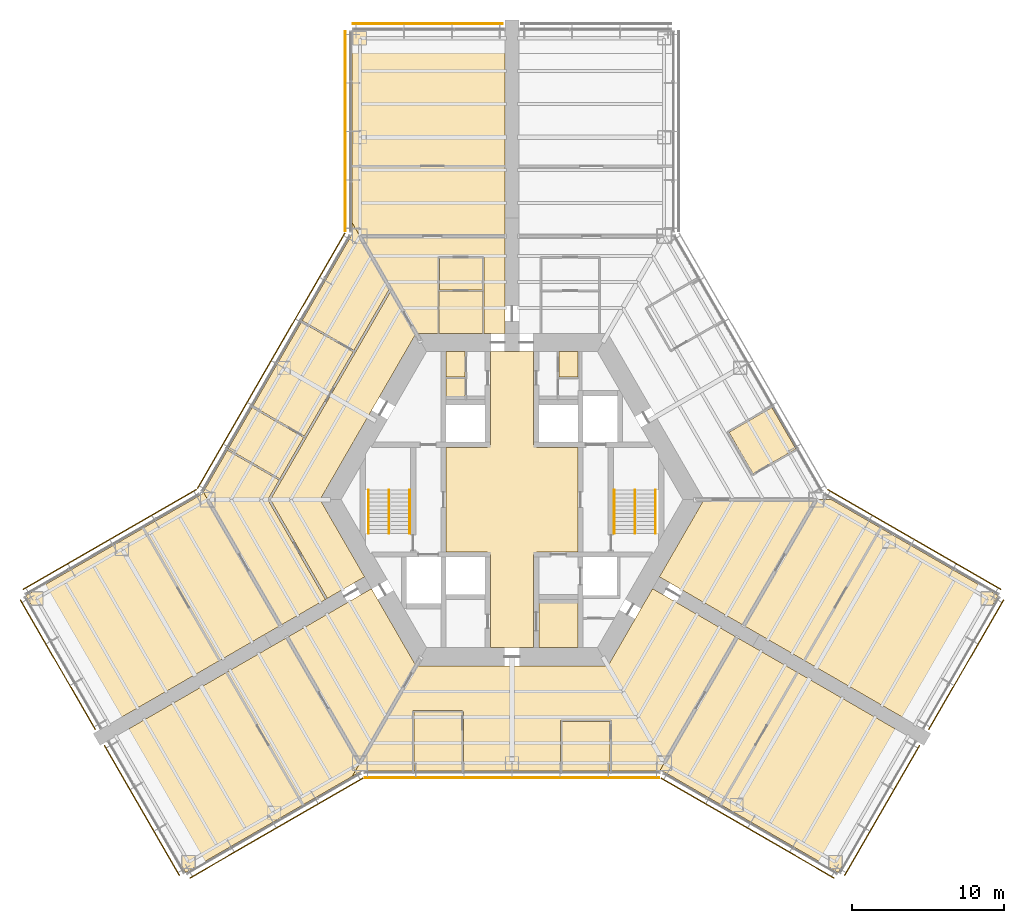
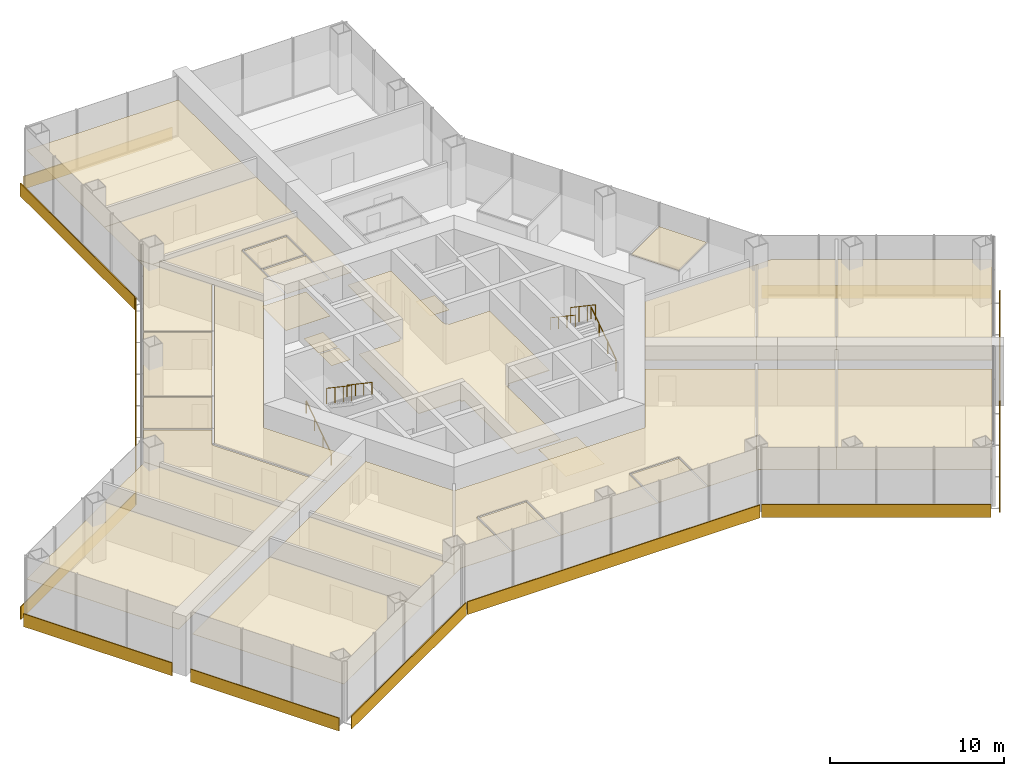
# One storey, part 16 of 17: 30 coverings, 12 shading devices, 6 railings.
"""IFC4 building model written with IfcOpenShell, lengths in metres."""

import ifcopenshell
import ifcopenshell.guid

model = None  # the IFC model being written
_history = None  # IfcOwnerHistory: only IFC2X3 demands one
_inside = {}  # id of a spatial element -> (the spatial element, [elements in it])
_under = {}  # id of a project, library or spatial element -> (it, [spatial elements below it])
_declared = {}  # id of a project -> (the project, [libraries it declares])
_typed = {}  # id of a type object -> (the type object, [elements of that type])
_made_of = {}  # id of a material, layer set ... -> (it, [elements and type objects made of it])


def new_model(schema):
    """Start an empty IFC model of exactly this schema.

    Asked for "IFC4X3", IfcOpenShell would pick the latest addendum, in which some entities
    have other attributes; the version numbers below select the first issue.
    IFC2X3 requires an IfcOwnerHistory on every rooted entity: one is made here for all.
    """
    global model, _history
    if schema == "IFC4X3":
        model = ifcopenshell.file(schema_version=(4, 3, 0, 0))
    else:
        model = ifcopenshell.file(schema=schema)
    _inside.clear()
    _under.clear()
    _declared.clear()
    _typed.clear()
    _made_of.clear()
    _history = None
    if model.schema == "IFC2X3":
        org = make("IfcOrganization", Name="unknown")
        user = make(
            "IfcPersonAndOrganization",
            ThePerson=make("IfcPerson", FamilyName="unknown"),
            TheOrganization=org,
        )
        app = make(
            "IfcApplication",
            ApplicationDeveloper=org,
            Version="unknown",
            ApplicationFullName="unknown",
            ApplicationIdentifier="unknown",
        )
        _history = make(
            "IfcOwnerHistory",
            OwningUser=user,
            OwningApplication=app,
            ChangeAction="ADDED",
            CreationDate=0,
        )
    return model


def make(cls, **values):
    """One entity of the class cls with the attributes given. An attribute that is None is left unset."""
    return model.create_entity(
        cls, **{name: value for name, value in values.items() if value is not None}
    )


def rooted(cls, **values):
    """An entity with a GlobalId (a new one), such as an element, a storey or a relation."""
    return make(cls, GlobalId=ifcopenshell.guid.new(), OwnerHistory=_history, **values)


def si_unit(unit_type, name, prefix=None):
    """IfcSIUnit, for example si_unit("LENGTHUNIT", "METRE", prefix="MILLI")."""
    return make("IfcSIUnit", UnitType=unit_type, Prefix=prefix, Name=name)


def assignment(units):
    """IfcUnitAssignment: the units of a project."""
    return None if units is None else make("IfcUnitAssignment", Units=units)


def point(xyz):
    """IfcCartesianPoint."""
    return None if xyz is None else make("IfcCartesianPoint", Coordinates=xyz)


def direction(xyz):
    """IfcDirection."""
    return None if xyz is None else make("IfcDirection", DirectionRatios=xyz)


def frame(location, z_axis=None, x_axis=None):
    """IfcAxis2Placement3D, a coordinate frame: its origin and axes. An axis left out is left unset."""
    return make(
        "IfcAxis2Placement3D",
        Location=point(location),
        Axis=direction(z_axis),
        RefDirection=direction(x_axis),
    )


def frame_2d(location, x_axis=None):
    """IfcAxis2Placement2D, a coordinate frame in the plane: its origin and x axis."""
    return make(
        "IfcAxis2Placement2D", Location=point(location), RefDirection=direction(x_axis)
    )


def origin():
    """The frame at (0, 0, 0) with its axes left unset."""
    return frame((0.0, 0.0, 0.0))


def origin_2d():
    """The frame at (0, 0) in the plane with its x axis left unset."""
    return frame_2d((0.0, 0.0))


def place(relative_to, where):
    """IfcLocalPlacement: puts the frame where relative to a parent placement (None: the world)."""
    return make(
        "IfcLocalPlacement", PlacementRelTo=relative_to, RelativePlacement=where
    )


def context(
    kind, dimensions, precision=None, world=None, true_north=None, identifier=None
):
    """IfcGeometricRepresentationContext, for example the 3D "Model" context."""
    return make(
        "IfcGeometricRepresentationContext",
        ContextIdentifier=identifier,
        ContextType=kind,
        CoordinateSpaceDimension=dimensions,
        Precision=precision,
        WorldCoordinateSystem=world,
        TrueNorth=true_north,
    )


def subcontext(parent, identifier, kind, view, scale=None):
    """IfcGeometricRepresentationSubContext, for example "Body" below "Model"."""
    return make(
        "IfcGeometricRepresentationSubContext",
        ContextIdentifier=identifier,
        ContextType=kind,
        ParentContext=parent,
        TargetScale=scale,
        TargetView=view,
    )


def project(units=None, contexts=None):
    """IfcProject with its units and contexts."""
    return rooted(
        "IfcProject",
        Name="project",
        RepresentationContexts=contexts,
        UnitsInContext=assignment(units),
    )


def spatial(cls, under=None, at=None, **own):
    """A site, building, storey or space (cls), placed at a placement, below another one or the project."""
    s = rooted(cls, ObjectPlacement=at, **own)
    if under is not None:
        _under.setdefault(under.id(), (under, []))[1].append(s)
    return s


def polyline(points):
    """IfcPolyline through the points."""
    return make("IfcPolyline", Points=[point(p) for p in points])


def profile(cls, at=None, kind="AREA", **sizes):
    """A parametric profile (cls). Its sizes go by their IFC names, for example OverallWidth=200.0."""
    return make(cls, ProfileType=kind, Position=at, **sizes)


def rectangle(**sizes):
    """IfcRectangleProfileDef."""
    return profile("IfcRectangleProfileDef", **sizes)


def circle(**sizes):
    """IfcCircleProfileDef."""
    return profile("IfcCircleProfileDef", **sizes)


def outline(outer, holes=None, kind="AREA"):
    """IfcArbitraryClosedProfileDef: a profile drawn as a closed curve; with holes, ...WithVoids."""
    if holes is None:
        return make("IfcArbitraryClosedProfileDef", ProfileType=kind, OuterCurve=outer)
    return make(
        "IfcArbitraryProfileDefWithVoids",
        ProfileType=kind,
        OuterCurve=outer,
        InnerCurves=holes,
    )


def extrude(swept, where, along, depth):
    """IfcExtrudedAreaSolid: the profile swept, set in the frame where, extruded along a direction by depth."""
    return make(
        "IfcExtrudedAreaSolid",
        SweptArea=swept,
        Position=where,
        ExtrudedDirection=direction(along),
        Depth=depth,
    )


def shape(context_of_items, identifier, shape_type, items):
    """IfcShapeRepresentation: the items that make up one representation, for example the "Body"."""
    return make(
        "IfcShapeRepresentation",
        ContextOfItems=context_of_items,
        RepresentationIdentifier=identifier,
        RepresentationType=shape_type,
        Items=items,
    )


def material(Name=None, Category=None):
    """IfcMaterial."""
    return make("IfcMaterial", Name=Name, Category=Category)


def layer(
    of_material, thickness, ventilated=None, Name=None, Category=None, Priority=None
):
    """IfcMaterialLayer: one layer of a wall or slab, of a material (None: an air gap)."""
    return make(
        "IfcMaterialLayer",
        Material=of_material,
        LayerThickness=thickness,
        IsVentilated=ventilated,
        Name=Name,
        Category=Category,
        Priority=Priority,
    )


def layer_set(layers, Name=None):
    """IfcMaterialLayerSet."""
    return make("IfcMaterialLayerSet", MaterialLayers=layers, LayerSetName=Name)


def made_of(thing, what):
    """Note that an element or type object is made of a material, layer set ...; save() writes the relation."""
    if what is not None:
        _made_of.setdefault(what.id(), (what, []))[1].append(thing)
    return thing


def type_object(cls, material=None, **own):
    """A type object (cls), such as IfcWallType, which elements share."""
    return made_of(rooted(cls, **own), material)


def element(
    cls,
    number,
    at=None,
    inside=None,
    cuts=None,
    type_object=None,
    material=None,
    context=None,
    identifier="Body",
    shape_type=None,
    held_by="IfcProductDefinitionShape",
    body=None,
    shapes=None,
    **own,
):
    """One element of the class cls, such as IfcWall. Its Tag is "e" and its number.

    at: its placement. inside: the storey or other place that contains it. cuts: it is an
    opening in that element (IfcRelVoidsElement). A single representation is given by context,
    identifier, shape_type and body (its items); several are given by shapes. held_by: the class
    of the entity that holds the representations. save() writes the other relations.
    """
    e = rooted(cls, Tag="e%d" % number, ObjectPlacement=at, **own)
    if body is not None:
        shapes = [shape(context, identifier, shape_type, body)]
    if shapes is not None:
        e.Representation = make(held_by, Representations=shapes)
    if inside is not None:
        _inside.setdefault(inside.id(), (inside, []))[1].append(e)
    if cuts is not None:
        rooted(
            "IfcRelVoidsElement", RelatingBuildingElement=cuts, RelatedOpeningElement=e
        )
    if type_object is not None:
        _typed.setdefault(type_object.id(), (type_object, []))[1].append(e)
    return made_of(e, material)


def aggregate(whole, parts):
    """IfcRelAggregates: a whole, such as a stair, and the parts it consists of."""
    return rooted("IfcRelAggregates", RelatingObject=whole, RelatedObjects=parts)


def save(model, path):
    """Write the relations noted so far, then the file.

    IfcRelAggregates (storeys below a building ...), IfcRelContainedInSpatialStructure (elements
    in a storey), IfcRelDefinesByType, IfcRelAssociatesMaterial and IfcRelDeclares: one each for
    every whole, place, type object, material and project.
    """
    for whole, parts in _under.values():
        aggregate(whole, parts)
    for where, things in _inside.values():
        rooted(
            "IfcRelContainedInSpatialStructure",
            RelatedElements=things,
            RelatingStructure=where,
        )
    for kind, things in _typed.values():
        rooted("IfcRelDefinesByType", RelatedObjects=things, RelatingType=kind)
    for what, things in _made_of.values():
        rooted("IfcRelAssociatesMaterial", RelatedObjects=things, RelatingMaterial=what)
    for by, libraries in _declared.values():
        rooted("IfcRelDeclares", RelatingContext=by, RelatedDefinitions=libraries)
    model.write(path)


model = new_model("IFC4")

# Units and contexts
model_context = context("Model", 3, precision=1e-05, world=origin(), true_north=direction((0.0, 1.0)))
body_context = subcontext(model_context, "Body", "Model", "MODEL_VIEW")
ifc_project = project(units=[si_unit("LENGTHUNIT", "METRE"), si_unit("AREAUNIT", "SQUARE_METRE"), si_unit("VOLUMEUNIT", "CUBIC_METRE"), si_unit("PLANEANGLEUNIT", "RADIAN"), si_unit("MASSUNIT", "GRAM", prefix="KILO")], contexts=[model_context])

# Site, building, storey
site_placement = place(None, origin())
site = spatial("IfcSite", under=ifc_project, at=site_placement, CompositionType="ELEMENT")
building_placement = place(site_placement, origin())
building = spatial("IfcBuilding", under=site, at=building_placement, Name="Kasaneha Research Tower", CompositionType="ELEMENT")
storey_placement = place(building_placement, frame((0.0, 0.0, 47.800048828125)))
storey = spatial("IfcBuildingStorey", under=building, at=storey_placement, Name="L12", CompositionType="ELEMENT", Elevation=47.800048828125)

# Coverings
ifc_material_1 = material(Name="Washable coated ceiling board", Category="gypsum")
ifc_layer_1 = layer(ifc_material_1, 0.02490234375)
ifc_layer_set_1 = layer_set([ifc_layer_1], Name="Laboratory ceiling 25")
covering_type_1 = type_object("IfcCoveringType", Name="Laboratory ceiling 25", PredefinedType="CEILING", material=ifc_layer_set_1)
covering_1_placement = place(storey_placement, frame((0.0, 0.0, 2.550048828125)))
element("IfcCovering", 1, at=covering_1_placement, inside=storey, type_object=covering_type_1, Name="Ceiling L12-31", PredefinedType="CEILING", context=body_context, shape_type="SweptSolid", body=[
    extrude(outline(polyline([(18.679443359375, 3.287353515625), (18.662109375, 3.27734375), (18.63720703125, 3.320556640625), (15.83984375, 1.70556640625), (14.2666015625, 4.430419921875), (17.06396484375, 6.04541015625), (17.038818359375, 6.0888671875), (17.05615234375, 6.098876953125), (18.679443359375, 3.287353515625)])), origin(), (0.0, 0.0, 1.0), 0.02490234375),
])
covering_2_placement = place(storey_placement, frame((0.0, 0.0, 2.550048828125)))
element("IfcCovering", 2, at=covering_2_placement, inside=storey, type_object=covering_type_1, Name="Ceiling L12-35", PredefinedType="CEILING", context=body_context, shape_type="SweptSolid", body=[
    extrude(outline(polyline([(-4.778564453125, 10.925048828125), (-4.778564453125, 13.675048828125), (-1.949951171875, 13.675048828125), (-1.949951171875, 10.925048828125), (-4.778564453125, 10.925048828125)])), origin(), (0.0, 0.0, 1.0), 0.02490234375),
])
covering_3_placement = place(storey_placement, frame((0.0, 0.0, 2.550048828125)))
element("IfcCovering", 3, at=covering_3_placement, inside=storey, type_object=covering_type_1, Name="Ceiling L12-36", PredefinedType="CEILING", context=body_context, shape_type="SweptSolid", body=[
    extrude(outline(polyline([(-4.778564453125, 15.875), (-1.949951171875, 15.875), (-1.949951171875, 13.77490234375), (-4.778564453125, 13.77490234375), (-4.778564453125, 15.875)])), origin(), (0.0, 0.0, 1.0), 0.02490234375),
])
covering_4_placement = place(storey_placement, frame((0.0, 0.0, 2.550048828125)))
element("IfcCovering", 4, at=covering_4_placement, inside=storey, type_object=covering_type_1, Name="Ceiling L12-37", PredefinedType="CEILING", context=body_context, shape_type="SweptSolid", body=[
    extrude(outline(polyline([(-1.85009765625, 10.925048828125), (-1.85009765625, 15.925048828125), (-1.8994140625, 15.925048828125), (-1.8994140625, 15.925048828125), (-1.8994140625, 15.925048828125), (-1.8994140625, 15.925048828125), (-1.899658203125, 15.92529296875), (-1.899658203125, 15.92529296875), (-1.899658203125, 15.92529296875), (-1.899658203125, 15.92529296875), (-1.899658203125, 15.92529296875), (-1.899658203125, 15.92529296875), (-1.899658203125, 15.925537109375), (-1.899658203125, 15.925537109375), (-1.89990234375, 15.925537109375), (-1.89990234375, 15.925537109375), (-1.89990234375, 15.925537109375), (-1.89990234375, 15.925537109375), (-1.89990234375, 15.925537109375), (-1.89990234375, 15.97509765625), (-4.82861328125, 15.97509765625), (-4.82861328125, 15.925537109375), (-4.82861328125, 15.925537109375), (-4.82861328125, 15.925537109375), (-4.82861328125, 15.925537109375), (-4.828857421875, 15.925537109375), (-4.828857421875, 15.925537109375), (-4.828857421875, 15.925537109375), (-4.828857421875, 15.92529296875), (-4.828857421875, 15.92529296875), (-4.828857421875, 15.92529296875), (-4.8291015625, 15.92529296875), (-4.8291015625, 15.92529296875), (-4.8291015625, 15.92529296875), (-4.8291015625, 15.925048828125), (-4.8291015625, 15.925048828125), (-4.8291015625, 15.925048828125), (-4.8291015625, 15.925048828125), (-4.878662109375, 15.925048828125), (-4.878662109375, 10.925048828125), (-6.3076171875, 10.925048828125), (-7.9384765625, 13.75), (-7.928466796875, 13.767578125), (-7.958740234375, 13.784912109375), (-10.0, 17.320556640625), (-0.449951171875, 17.320556640625), (-0.449951171875, 12.72509765625), (-0.449951171875, 11.72509765625), (-0.449951171875, 10.925048828125), (-1.85009765625, 10.925048828125)])), origin(), (0.0, 0.0, 1.0), 0.02490234375),
])
covering_5_placement = place(storey_placement, frame((0.0, 0.0, 2.550048828125)))
element("IfcCovering", 5, at=covering_5_placement, inside=storey, type_object=covering_type_1, Name="Ceiling L12-38", PredefinedType="CEILING", context=body_context, shape_type="SweptSolid", body=[
    extrude(outline(polyline([(-10.5, 21.92041015625), (-0.449951171875, 21.92041015625), (-0.449951171875, 17.320556640625), (-10.0, 17.320556640625), (-10.5, 18.1865234375), (-10.5, 21.92041015625)])), origin(), (0.0, 0.0, 1.0), 0.02490234375),
])
covering_6_placement = place(storey_placement, frame((0.0, 0.0, 2.550048828125)))
element("IfcCovering", 6, at=covering_6_placement, inside=storey, type_object=covering_type_1, Name="Ceiling L12-39", PredefinedType="CEILING", context=body_context, shape_type="SweptSolid", body=[
    extrude(outline(polyline([(-0.449951171875, 30.820556640625), (-0.449951171875, 21.92041015625), (-10.5, 21.92041015625), (-10.5, 30.820556640625), (-0.449951171875, 30.820556640625)])), origin(), (0.0, 0.0, 1.0), 0.02490234375),
])
covering_7_placement = place(storey_placement, frame((0.0, 0.0, 2.550048828125)))
element("IfcCovering", 7, at=covering_7_placement, inside=storey, type_object=covering_type_1, Name="Ceiling L12-40", PredefinedType="CEILING", context=body_context, shape_type="SweptSolid", body=[
    extrude(outline(polyline([(-12.614990234375, 0.0), (-9.686279296875, -5.07275390625), (-12.19775390625, -6.522705078125), (-12.207763671875, -6.50537109375), (-12.142822265625, -6.468017578125), (-15.877197265625, 0.0), (-15.15673828125, 1.247802734375), (-15.15673828125, 1.247802734375), (-13.533203125, 4.059814453125), (-13.533203125, 4.059814453125), (-10.287109375, 9.68212890625), (-10.287109375, 9.68212890625), (-7.9384765625, 13.75), (-6.3076171875, 10.925048828125), (-12.614990234375, 0.0)])), origin(), (0.0, 0.0, 1.0), 0.02490234375),
])
covering_8_placement = place(storey_placement, frame((0.0, 0.0, 2.550048828125)))
element("IfcCovering", 8, at=covering_8_placement, inside=storey, type_object=covering_type_1, Name="Ceiling L12-41", PredefinedType="CEILING", context=body_context, shape_type="SweptSolid", body=[
    extrude(outline(polyline([(-10.499755859375, 18.18701171875), (-7.981689453125, 13.825439453125), (-7.993408203125, 13.804931640625), (-8.058349609375, 13.842529296875), (-10.387451171875, 9.80859375), (-13.767578125, 11.755126953125), (-13.79248046875, 11.711669921875), (-13.809814453125, 11.7216796875), (-10.50048828125, 17.45458984375), (-10.499755859375, 18.18701171875)])), origin(), (0.0, 0.0, 1.0), 0.02490234375),
])
covering_9_placement = place(storey_placement, frame((0.0, 0.0, 2.550048828125)))
element("IfcCovering", 9, at=covering_9_placement, inside=storey, type_object=covering_type_1, Name="Ceiling L12-42", PredefinedType="CEILING", context=body_context, shape_type="SweptSolid", body=[
    extrude(outline(polyline([(-17.038818359375, 6.0888671875), (-17.06396484375, 6.04541015625), (-13.688232421875, 4.091552734375), (-15.257080078125, 1.3740234375), (-18.63720703125, 3.320556640625), (-18.662109375, 3.27734375), (-18.679443359375, 3.287353515625), (-17.05615234375, 6.098876953125), (-17.038818359375, 6.0888671875)])), origin(), (0.0, 0.0, 1.0), 0.02490234375),
])
covering_10_placement = place(storey_placement, frame((0.0, 0.0, 2.550048828125)))
element("IfcCovering", 10, at=covering_10_placement, inside=storey, type_object=covering_type_1, Name="Ceiling L12-43", PredefinedType="CEILING", context=body_context, shape_type="SweptSolid", body=[
    extrude(outline(polyline([(-18.6796875, 3.286865234375), (-18.662353515625, 3.27685546875), (-18.68701171875, 3.23388671875), (-15.306884765625, 1.28759765625), (-16.028564453125, 0.03759765625), (-15.964111328125, 0.000244140625), (-15.964111328125, -0.000244140625), (-15.964111328125, -0.000244140625), (-16.028564453125, -0.03759765625), (-12.272705078125, -6.54296875), (-12.208251953125, -6.505859375), (-12.1982421875, -6.52294921875), (-15.22509765625, -8.2705078125), (-20.28857421875, 0.5), (-18.6796875, 3.286865234375)])), origin(), (0.0, 0.0, 1.0), 0.02490234375),
])
covering_11_placement = place(storey_placement, frame((0.0, 0.0, 2.550048828125)))
element("IfcCovering", 11, at=covering_11_placement, inside=storey, type_object=covering_type_1, Name="Ceiling L12-44", PredefinedType="CEILING", context=body_context, shape_type="SweptSolid", body=[
    extrude(outline(polyline([(-17.055908203125, 6.09912109375), (-13.81005859375, 11.72119140625), (-13.792724609375, 11.711181640625), (-13.8173828125, 11.66845703125), (-10.4375, 9.721923828125), (-13.63818359375, 4.177978515625), (-17.013916015625, 6.132080078125), (-17.03857421875, 6.089111328125), (-17.055908203125, 6.09912109375)])), origin(), (0.0, 0.0, 1.0), 0.02490234375),
])
covering_12_placement = place(storey_placement, frame((0.0, 0.0, 2.550048828125)))
element("IfcCovering", 12, at=covering_12_placement, inside=storey, type_object=covering_type_1, Name="Ceiling L12-45", PredefinedType="CEILING", context=body_context, shape_type="SweptSolid", body=[
    extrude(outline(polyline([(-24.233642578125, -1.866943359375), (-20.365966796875, 0.365966796875), (-20.28857421875, 0.5), (-15.22509765625, -8.2705078125), (-19.208740234375, -10.570556640625), (-24.233642578125, -1.866943359375)])), origin(), (0.0, 0.0, 1.0), 0.02490234375),
])
covering_13_placement = place(storey_placement, frame((0.0, 0.0, 2.550048828125)))
element("IfcCovering", 13, at=covering_13_placement, inside=storey, type_object=covering_type_1, Name="Ceiling L12-46", PredefinedType="CEILING", context=body_context, shape_type="SweptSolid", body=[
    extrude(outline(polyline([(-31.94140625, -6.31689453125), (-24.233642578125, -1.866943359375), (-19.208740234375, -10.570556640625), (-26.916259765625, -15.0205078125), (-31.94140625, -6.31689453125)])), origin(), (0.0, 0.0, 1.0), 0.02490234375),
])
covering_14_placement = place(storey_placement, frame((0.0, 0.0, 2.550048828125)))
element("IfcCovering", 14, at=covering_14_placement, inside=storey, type_object=covering_type_1, Name="Ceiling L12-47", PredefinedType="CEILING", context=body_context, shape_type="SweptSolid", body=[
    extrude(outline(polyline([(-9.236328125, -5.852294921875), (-6.3076171875, -10.925048828125), (-10.0, -17.320556640625), (-14.77490234375, -9.050048828125), (-9.92919921875, -6.252197265625), (-9.92919921875, -6.252197265625), (-9.236328125, -5.852294921875)])), origin(), (0.0, 0.0, 1.0), 0.02490234375),
])
covering_15_placement = place(storey_placement, frame((0.0, 0.0, 2.550048828125)))
element("IfcCovering", 15, at=covering_15_placement, inside=storey, type_object=covering_type_1, Name="Ceiling L12-48", PredefinedType="CEILING", context=body_context, shape_type="SweptSolid", body=[
    extrude(outline(polyline([(-21.44140625, -24.50341796875), (-26.46630859375, -15.800048828125), (-18.7587890625, -11.349853515625), (-13.733642578125, -20.053466796875), (-21.44140625, -24.50341796875)])), origin(), (0.0, 0.0, 1.0), 0.02490234375),
])
covering_16_placement = place(storey_placement, frame((0.0, 0.0, 2.550048828125)))
element("IfcCovering", 16, at=covering_16_placement, inside=storey, type_object=covering_type_1, Name="Ceiling L12-49", PredefinedType="CEILING", context=body_context, shape_type="SweptSolid", body=[
    extrude(outline(polyline([(-10.5, -18.1865234375), (-13.733642578125, -20.053466796875), (-18.7587890625, -11.349853515625), (-14.77490234375, -9.050048828125), (-10.0, -17.320556640625), (-10.5, -18.1865234375)])), origin(), (0.0, 0.0, 1.0), 0.02490234375),
])
covering_17_placement = place(storey_placement, frame((0.0, 0.0, 2.550048828125)))
element("IfcCovering", 17, at=covering_17_placement, inside=storey, type_object=covering_type_1, Name="Ceiling L12-50", PredefinedType="CEILING", context=body_context, shape_type="SweptSolid", body=[
    extrude(outline(polyline([(11.2451171875, -5.972900390625), (10.379150390625, -5.472900390625), (9.686279296875, -5.07275390625), (12.614990234375, 0.0), (20.0, 0.0), (15.22509765625, -8.2705078125), (14.55810546875, -7.885498046875), (11.2451171875, -5.972900390625)])), origin(), (0.0, 0.0, 1.0), 0.02490234375),
])
covering_18_placement = place(storey_placement, frame((0.0, 0.0, 2.550048828125)))
element("IfcCovering", 18, at=covering_18_placement, inside=storey, type_object=covering_type_1, Name="Ceiling L12-51", PredefinedType="CEILING", context=body_context, shape_type="SweptSolid", body=[
    extrude(outline(polyline([(24.233642578125, -1.866943359375), (31.94140625, -6.31689453125), (26.916259765625, -15.0205078125), (19.208740234375, -10.570556640625), (24.233642578125, -1.866943359375)])), origin(), (0.0, 0.0, 1.0), 0.02490234375),
])
covering_19_placement = place(storey_placement, frame((0.0, 0.0, 2.550048828125)))
element("IfcCovering", 19, at=covering_19_placement, inside=storey, type_object=covering_type_1, Name="Ceiling L12-52", PredefinedType="CEILING", context=body_context, shape_type="SweptSolid", body=[
    extrude(outline(polyline([(20.0, 0.0), (21.0, 0.0), (24.233642578125, -1.866943359375), (19.208740234375, -10.570556640625), (15.22509765625, -8.2705078125), (20.0, 0.0)])), origin(), (0.0, 0.0, 1.0), 0.02490234375),
])
covering_20_placement = place(storey_placement, frame((0.0, 0.0, 2.550048828125)))
element("IfcCovering", 20, at=covering_20_placement, inside=storey, type_object=covering_type_1, Name="Ceiling L12-53", PredefinedType="CEILING", context=body_context, shape_type="SweptSolid", body=[
    extrude(outline(polyline([(-6.492919921875, -17.820556640625), (-6.492919921875, -17.800537109375), (-6.44287109375, -17.800537109375), (-6.44287109375, -13.970458984375), (-3.29638671875, -13.970458984375), (-3.29638671875, -17.800537109375), (-3.246337890625, -17.800537109375), (-3.246337890625, -17.820556640625), (-6.492919921875, -17.820556640625)])), origin(), (0.0, 0.0, 1.0), 0.02490234375),
])
covering_21_placement = place(storey_placement, frame((0.0, 0.0, 2.550048828125)))
element("IfcCovering", 21, at=covering_21_placement, inside=storey, type_object=covering_type_1, Name="Ceiling L12-54", PredefinedType="CEILING", context=body_context, shape_type="SweptSolid", body=[
    extrude(outline(polyline([(3.246337890625, -17.820556640625), (3.246337890625, -17.800537109375), (3.29638671875, -17.800537109375), (3.29638671875, -14.570556640625), (6.44287109375, -14.570556640625), (6.44287109375, -17.800537109375), (6.492919921875, -17.800537109375), (6.492919921875, -17.820556640625), (3.246337890625, -17.820556640625)])), origin(), (0.0, 0.0, 1.0), 0.02490234375),
])
covering_22_placement = place(storey_placement, frame((0.0, 0.0, 2.550048828125)))
element("IfcCovering", 22, at=covering_22_placement, inside=storey, type_object=covering_type_1, Name="Ceiling L12-55", PredefinedType="CEILING", context=body_context, shape_type="SweptSolid", body=[
    extrude(outline(polyline([(6.492919921875, -14.52001953125), (6.492919921875, -14.470458984375), (3.246337890625, -14.470458984375), (3.246337890625, -14.520263671875), (3.24609375, -14.520263671875), (3.24609375, -14.5205078125), (3.1962890625, -14.5205078125), (3.1962890625, -17.800537109375), (3.245849609375, -17.800537109375), (3.245849609375, -17.820556640625), (-3.245849609375, -17.820556640625), (-3.245849609375, -17.800537109375), (-3.1962890625, -17.800537109375), (-3.1962890625, -13.92041015625), (-3.24609375, -13.92041015625), (-3.24609375, -13.920166015625), (-3.246337890625, -13.920166015625), (-3.246337890625, -13.87060546875), (-6.492919921875, -13.87060546875), (-6.492919921875, -13.919921875), (-6.492919921875, -13.919921875), (-6.492919921875, -13.92041015625), (-6.542724609375, -13.92041015625), (-6.542724609375, -17.800537109375), (-6.493408203125, -17.800537109375), (-6.493408203125, -17.820556640625), (-9.865966796875, -17.820556640625), (-10.5, -18.1865234375), (-6.3076171875, -10.925048828125), (6.3076171875, -10.925048828125), (9.236328125, -5.852294921875), (14.77490234375, -9.050048828125), (9.71142578125, -17.820556640625), (6.493408203125, -17.820556640625), (6.493408203125, -17.800537109375), (6.542724609375, -17.800537109375), (6.542724609375, -14.5205078125), (6.492919921875, -14.5205078125), (6.492919921875, -14.52001953125), (6.492919921875, -14.52001953125)])), origin(), (0.0, 0.0, 1.0), 0.02490234375),
])
covering_23_placement = place(storey_placement, frame((0.0, 0.0, 2.550048828125)))
element("IfcCovering", 23, at=covering_23_placement, inside=storey, type_object=covering_type_1, Name="Ceiling L12-56", PredefinedType="CEILING", context=body_context, shape_type="SweptSolid", body=[
    extrude(outline(polyline([(14.77490234375, -9.050048828125), (18.7587890625, -11.349853515625), (13.733642578125, -20.053466796875), (9.865966796875, -17.820556640625), (9.71142578125, -17.820556640625), (14.77490234375, -9.050048828125)])), origin(), (0.0, 0.0, 1.0), 0.02490234375),
])
covering_24_placement = place(storey_placement, frame((0.0, 0.0, 2.550048828125)))
element("IfcCovering", 24, at=covering_24_placement, inside=storey, type_object=covering_type_1, Name="Ceiling L12-57", PredefinedType="CEILING", context=body_context, shape_type="SweptSolid", body=[
    extrude(outline(polyline([(21.44140625, -24.50341796875), (13.733642578125, -20.053466796875), (18.7587890625, -11.349853515625), (26.46630859375, -15.800048828125), (21.44140625, -24.50341796875)])), origin(), (0.0, 0.0, 1.0), 0.02490234375),
])
ifc_material_2 = material(Name="Aluminium panel ceiling", Category="aluminium")
ifc_layer_2 = layer(ifc_material_2, 0.0400390625)
ifc_layer_set_2 = layer_set([ifc_layer_2], Name="Lift lobby ceiling 40")
covering_type_2 = type_object("IfcCoveringType", Name="Lift lobby ceiling 40", PredefinedType="CEILING", material=ifc_layer_set_2)
covering_25_placement = place(storey_placement, frame((0.0, 0.0, 2.699951171875)))
element("IfcCovering", 25, at=covering_25_placement, inside=storey, type_object=covering_type_2, Name="Ceiling L12-01", PredefinedType="CEILING", context=body_context, shape_type="SweptSolid", body=[
    extrude(outline(polyline([(1.425048828125, 9.72509765625), (1.425048828125, 3.60009765625), (1.60009765625, 3.60009765625), (1.60009765625, 3.425048828125), (4.324951171875, 3.425048828125), (4.324951171875, -3.425048828125), (1.60009765625, -3.425048828125), (1.60009765625, -3.60009765625), (1.425048828125, -3.60009765625), (1.425048828125, -9.72509765625), (-1.425048828125, -9.72509765625), (-1.425048828125, -3.60009765625), (-1.60009765625, -3.60009765625), (-1.60009765625, -3.425048828125), (-4.324951171875, -3.425048828125), (-4.324951171875, 3.425048828125), (-1.60009765625, 3.425048828125), (-1.60009765625, 3.60009765625), (-1.425048828125, 3.60009765625), (-1.425048828125, 9.72509765625), (1.425048828125, 9.72509765625)])), origin(), (0.0, 0.0, 1.0), 0.0400390625),
])

# Railings
ifc_material_3 = material(Name="Steel", Category="steel")
railing_type_1 = type_object("IfcRailingType", Name="Stair balustrade 1100", PredefinedType="GUARDRAIL", material=ifc_material_3)
for number, where, name in (
    (26, (8.074951171875, 0.635009765625, 2.27490234375), "Stair 1 balustrade L12"),
    (27, (-8.074951171875, 0.635009765625, 2.27490234375), "Stair 2 balustrade L12"),
):
    element("IfcRailing", number, at=place(storey_placement, frame(where)), inside=storey, type_object=railing_type_1, Name=name, PredefinedType="GUARDRAIL", context=body_context, shape_type="SweptSolid", body=[
        extrude(circle(Radius=0.02392578125, at=origin_2d()), frame((0.0, 0.0, 1.076171875), z_axis=(0.0, -0.829590901723, 0.558371682465), x_axis=(1.0, 0.0, 0.0)), (0.0, 0.0, 1.0), 3.447509765625),
        extrude(circle(Radius=0.02099609375, at=origin_2d()), origin(), (0.0, 0.0, 1.0), 1.052001953125),
        extrude(circle(Radius=0.02099609375, at=origin_2d()), frame((0.0, -0.953369140625, 0.6416015625)), (0.0, 0.0, 1.0), 1.052001953125),
        extrude(circle(Radius=0.02099609375, at=origin_2d()), frame((0.0, -1.90673828125, 1.283447265625)), (0.0, 0.0, 1.0), 1.052001953125),
        extrude(circle(Radius=0.02099609375, at=origin_2d()), frame((0.0, -2.860107421875, 1.925048828125)), (0.0, 0.0, 1.0), 1.052001953125),
    ])
ifc_material_4 = material(Name="Steel", Category="steel")
railing_type_2 = type_object("IfcRailingType", Name="Stair handrail 850", PredefinedType="HANDRAIL", material=ifc_material_4)
railing_1_placement = place(storey_placement, frame((9.425048828125, -2.22509765625, 0.175048828125)))
element("IfcRailing", 28, at=railing_1_placement, inside=storey, type_object=railing_type_2, Name="Stair 1 handrail L12", PredefinedType="HANDRAIL", context=body_context, shape_type="SweptSolid", body=[
    extrude(circle(Radius=0.02392578125, at=origin_2d()), frame((0.0, 0.0, 0.826171875), z_axis=(0.0, 0.829623704247, 0.558322943601), x_axis=(-1.0, 0.0, 0.0)), (0.0, 0.0, 1.0), 3.447509765625),
    extrude(circle(Radius=0.02099609375, at=origin_2d()), origin(), (0.0, 0.0, 1.0), 0.802001953125),
    extrude(circle(Radius=0.02099609375, at=origin_2d()), frame((0.0, 0.953369140625, 0.6416015625)), (0.0, 0.0, 1.0), 0.802001953125),
    extrude(circle(Radius=0.02099609375, at=origin_2d()), frame((0.0, 1.90673828125, 1.283203125)), (0.0, 0.0, 1.0), 0.802001953125),
    extrude(circle(Radius=0.02099609375, at=origin_2d()), frame((0.0, 2.860107421875, 1.9248046875)), (0.0, 0.0, 1.0), 0.802001953125),
])
railing_2_placement = place(storey_placement, frame((6.72509765625, 0.635009765625, 2.27490234375)))
element("IfcRailing", 29, at=railing_2_placement, inside=storey, type_object=railing_type_2, Name="Stair 1 handrail L12", PredefinedType="HANDRAIL", context=body_context, shape_type="SweptSolid", body=[
    extrude(circle(Radius=0.02392578125, at=origin_2d()), frame((0.0, 0.0, 0.826171875), z_axis=(0.0, -0.829590901723, 0.558371682465), x_axis=(1.0, 0.0, 0.0)), (0.0, 0.0, 1.0), 3.447509765625),
    extrude(circle(Radius=0.02099609375, at=origin_2d()), origin(), (0.0, 0.0, 1.0), 0.802001953125),
    extrude(circle(Radius=0.02099609375, at=origin_2d()), frame((0.0, -0.953369140625, 0.6416015625)), (0.0, 0.0, 1.0), 0.802001953125),
    extrude(circle(Radius=0.02099609375, at=origin_2d()), frame((0.0, -1.90673828125, 1.283447265625)), (0.0, 0.0, 1.0), 0.802001953125),
    extrude(circle(Radius=0.02099609375, at=origin_2d()), frame((0.0, -2.860107421875, 1.925048828125)), (0.0, 0.0, 1.0), 0.802001953125),
])
railing_3_placement = place(storey_placement, frame((-9.425048828125, -2.22509765625, 0.175048828125)))
element("IfcRailing", 30, at=railing_3_placement, inside=storey, type_object=railing_type_2, Name="Stair 2 handrail L12", PredefinedType="HANDRAIL", context=body_context, shape_type="SweptSolid", body=[
    extrude(circle(Radius=0.02392578125, at=origin_2d()), frame((0.0, 0.0, 0.826171875), z_axis=(0.0, 0.829623704247, 0.558322943601), x_axis=(-1.0, 0.0, 0.0)), (0.0, 0.0, 1.0), 3.447509765625),
    extrude(circle(Radius=0.02099609375, at=origin_2d()), origin(), (0.0, 0.0, 1.0), 0.802001953125),
    extrude(circle(Radius=0.02099609375, at=origin_2d()), frame((0.0, 0.953369140625, 0.6416015625)), (0.0, 0.0, 1.0), 0.802001953125),
    extrude(circle(Radius=0.02099609375, at=origin_2d()), frame((0.0, 1.90673828125, 1.283203125)), (0.0, 0.0, 1.0), 0.802001953125),
    extrude(circle(Radius=0.02099609375, at=origin_2d()), frame((0.0, 2.860107421875, 1.9248046875)), (0.0, 0.0, 1.0), 0.802001953125),
])
railing_4_placement = place(storey_placement, frame((-6.72509765625, 0.635009765625, 2.27490234375)))
element("IfcRailing", 31, at=railing_4_placement, inside=storey, type_object=railing_type_2, Name="Stair 2 handrail L12", PredefinedType="HANDRAIL", context=body_context, shape_type="SweptSolid", body=[
    extrude(circle(Radius=0.02392578125, at=origin_2d()), frame((0.0, 0.0, 0.826171875), z_axis=(0.0, -0.829590901723, 0.558371682465), x_axis=(1.0, 0.0, 0.0)), (0.0, 0.0, 1.0), 3.447509765625),
    extrude(circle(Radius=0.02099609375, at=origin_2d()), origin(), (0.0, 0.0, 1.0), 0.802001953125),
    extrude(circle(Radius=0.02099609375, at=origin_2d()), frame((0.0, -0.953369140625, 0.6416015625)), (0.0, 0.0, 1.0), 0.802001953125),
    extrude(circle(Radius=0.02099609375, at=origin_2d()), frame((0.0, -1.90673828125, 1.283447265625)), (0.0, 0.0, 1.0), 0.802001953125),
    extrude(circle(Radius=0.02099609375, at=origin_2d()), frame((0.0, -2.860107421875, 1.925048828125)), (0.0, 0.0, 1.0), 0.802001953125),
])

# Shading devices
ifc_material_5 = material(Name="Terracotta", Category="masonry")
ifc_layer_3 = layer(ifc_material_5, 0.06005859375)
ifc_layer_set_3 = layer_set([ifc_layer_3], Name="Terracotta baguette screen")
shading_device_type = type_object("IfcShadingDeviceType", Name="Terracotta baguette screen", PredefinedType="USERDEFINED", material=ifc_layer_set_3)
shading_device_1_placement = place(storey_placement, frame((-15.483642578125, -21.58349609375, -0.449951171875), z_axis=(0.0, 0.0, 1.0), x_axis=(0.866025411464, 0.499999986699, 0.0)))
element("IfcShadingDevice", 32, at=shading_device_1_placement, inside=storey, type_object=shading_device_type, Name="Baguette screen L12 01", ObjectType="TERRACOTTA BAGUETTE SCREEN", PredefinedType="USERDEFINED", context=body_context, shape_type="SweptSolid", body=[
    extrude(rectangle(XDim=13.13916015625, YDim=0.06005859375, at=origin_2d()), origin(), (0.0, 0.0, 1.0), 0.89990234375),
])
shading_device_2_placement = place(storey_placement, frame((0.0, -18.2705078125, -0.449951171875), z_axis=(0.0, 0.0, 1.0), x_axis=(1.0, 0.0, 0.0)))
element("IfcShadingDevice", 33, at=shading_device_2_placement, inside=storey, type_object=shading_device_type, Name="Baguette screen L12 02", ObjectType="TERRACOTTA BAGUETTE SCREEN", PredefinedType="USERDEFINED", context=body_context, shape_type="SweptSolid", body=[
    extrude(rectangle(XDim=19.37841796875, YDim=0.06005859375, at=origin_2d()), origin(), (0.0, 0.0, 1.0), 0.89990234375),
])
shading_device_3_placement = place(storey_placement, frame((15.483642578125, -21.58349609375, -0.449951171875), z_axis=(0.0, 0.0, 1.0), x_axis=(0.866025411464, -0.499999986699, 0.0)))
element("IfcShadingDevice", 34, at=shading_device_3_placement, inside=storey, type_object=shading_device_type, Name="Baguette screen L12 03", ObjectType="TERRACOTTA BAGUETTE SCREEN", PredefinedType="USERDEFINED", context=body_context, shape_type="SweptSolid", body=[
    extrude(rectangle(XDim=13.13916015625, YDim=0.06005859375, at=origin_2d()), origin(), (0.0, 0.0, 1.0), 0.89990234375),
])
for number, where, z_axis, x_axis, name in (
    (35, (24.318603515625, -20.420166015625, -0.449951171875), (0.0, 0.0, 1.0), (0.500000011442, 0.866025397178, 0.0), "Baguette screen L12 04"),
    (36, (29.843505859375, -10.850341796875, -0.449951171875), (0.0, 0.0, 1.0), (0.500000011442, 0.866025397178, 0.0), "Baguette screen L12 05"),
):
    element("IfcShadingDevice", number, at=place(storey_placement, frame(where, z_axis=z_axis, x_axis=x_axis)), inside=storey, type_object=shading_device_type, Name=name, ObjectType="TERRACOTTA BAGUETTE SCREEN", PredefinedType="USERDEFINED", context=body_context, shape_type="SweptSolid", body=[
        extrude(rectangle(XDim=9.85009765625, YDim=0.06005859375, at=origin_2d()), origin(), (0.0, 0.0, 1.0), 0.89990234375),
    ])
shading_device_4_placement = place(storey_placement, frame((26.43359375, -2.617431640625, -0.449951171875), z_axis=(0.0, 0.0, 1.0), x_axis=(-0.866025411464, 0.499999986699, 0.0)))
element("IfcShadingDevice", 37, at=shading_device_4_placement, inside=storey, type_object=shading_device_type, Name="Baguette screen L12 06", ObjectType="TERRACOTTA BAGUETTE SCREEN", PredefinedType="USERDEFINED", context=body_context, shape_type="SweptSolid", body=[
    extrude(rectangle(XDim=13.13916015625, YDim=0.06005859375, at=origin_2d()), origin(), (0.0, 0.0, 1.0), 0.89990234375),
])
shading_device_5_placement = place(storey_placement, frame((-5.52490234375, 31.2705078125, -0.449951171875), z_axis=(0.0, 0.0, 1.0), x_axis=(-1.0, 0.0, 0.0)))
element("IfcShadingDevice", 38, at=shading_device_5_placement, inside=storey, type_object=shading_device_type, Name="Baguette screen L12 10", ObjectType="TERRACOTTA BAGUETTE SCREEN", PredefinedType="USERDEFINED", context=body_context, shape_type="SweptSolid", body=[
    extrude(rectangle(XDim=9.85009765625, YDim=0.06005859375, at=origin_2d()), origin(), (0.0, 0.0, 1.0), 0.89990234375),
])
shading_device_6_placement = place(storey_placement, frame((-10.949951171875, 24.200927734375, -0.449951171875), z_axis=(0.0, 0.0, 1.0), x_axis=(0.0, -1.0, 0.0)))
element("IfcShadingDevice", 39, at=shading_device_6_placement, inside=storey, type_object=shading_device_type, Name="Baguette screen L12 11", ObjectType="TERRACOTTA BAGUETTE SCREEN", PredefinedType="USERDEFINED", context=body_context, shape_type="SweptSolid", body=[
    extrude(rectangle(XDim=13.13916015625, YDim=0.06005859375, at=origin_2d()), origin(), (0.0, 0.0, 1.0), 0.89990234375),
])
shading_device_7_placement = place(storey_placement, frame((-15.82275390625, 9.13525390625, -0.449951171875), z_axis=(0.0, 0.0, 1.0), x_axis=(-0.49999996188, -0.866025425793, 0.0)))
element("IfcShadingDevice", 40, at=shading_device_7_placement, inside=storey, type_object=shading_device_type, Name="Baguette screen L12 12", ObjectType="TERRACOTTA BAGUETTE SCREEN", PredefinedType="USERDEFINED", context=body_context, shape_type="SweptSolid", body=[
    extrude(rectangle(XDim=19.37841796875, YDim=0.06005859375, at=origin_2d()), origin(), (0.0, 0.0, 1.0), 0.89990234375),
])
shading_device_8_placement = place(storey_placement, frame((-26.43359375, -2.617431640625, -0.449951171875), z_axis=(0.0, 0.0, 1.0), x_axis=(-0.866025411464, -0.499999986699, 0.0)))
element("IfcShadingDevice", 41, at=shading_device_8_placement, inside=storey, type_object=shading_device_type, Name="Baguette screen L12 13", ObjectType="TERRACOTTA BAGUETTE SCREEN", PredefinedType="USERDEFINED", context=body_context, shape_type="SweptSolid", body=[
    extrude(rectangle(XDim=13.13916015625, YDim=0.06005859375, at=origin_2d()), origin(), (0.0, 0.0, 1.0), 0.89990234375),
])
for number, where, z_axis, x_axis, name in (
    (42, (-29.843505859375, -10.850341796875, -0.449951171875), (0.0, 0.0, 1.0), (0.500000011442, -0.866025397178, 0.0), "Baguette screen L12 14"),
    (43, (-24.318603515625, -20.420166015625, -0.449951171875), (0.0, 0.0, 1.0), (0.500000011442, -0.866025397178, 0.0), "Baguette screen L12 15"),
):
    element("IfcShadingDevice", number, at=place(storey_placement, frame(where, z_axis=z_axis, x_axis=x_axis)), inside=storey, type_object=shading_device_type, Name=name, ObjectType="TERRACOTTA BAGUETTE SCREEN", PredefinedType="USERDEFINED", context=body_context, shape_type="SweptSolid", body=[
        extrude(rectangle(XDim=9.85009765625, YDim=0.06005859375, at=origin_2d()), origin(), (0.0, 0.0, 1.0), 0.89990234375),
    ])

# Coverings
ifc_material_6 = material(Name="Vinyl sheet flooring", Category="plastic")
ifc_layer_4 = layer(ifc_material_6, 0.0048828125)
ifc_layer_set_4 = layer_set([ifc_layer_4], Name="Wet room sheet flooring 5")
covering_type_3 = type_object("IfcCoveringType", Name="Wet room sheet flooring 5", PredefinedType="FLOORING", material=ifc_layer_set_4)
covering_26_placement = place(storey_placement, origin())
element("IfcCovering", 44, at=covering_26_placement, inside=storey, type_object=covering_type_3, Name="Floor finish L12-07", PredefinedType="FLOORING", context=body_context, shape_type="SweptSolid", body=[
    extrude(outline(polyline([(-4.324951171875, 8.050048828125), (-4.324951171875, 9.72509765625), (-3.074951171875, 9.72509765625), (-3.074951171875, 8.050048828125), (-4.324951171875, 8.050048828125)])), origin(), (0.0, 0.0, 1.0), 0.0048828125),
])
covering_27_placement = place(storey_placement, origin())
element("IfcCovering", 45, at=covering_27_placement, inside=storey, type_object=covering_type_3, Name="Floor finish L12-08", PredefinedType="FLOORING", context=body_context, shape_type="SweptSolid", body=[
    extrude(outline(polyline([(-4.324951171875, 6.574951171875), (-4.324951171875, 7.949951171875), (-3.074951171875, 7.949951171875), (-3.074951171875, 6.574951171875), (-4.324951171875, 6.574951171875)])), origin(), (0.0, 0.0, 1.0), 0.0048828125),
])
covering_28_placement = place(storey_placement, origin())
element("IfcCovering", 46, at=covering_28_placement, inside=storey, type_object=covering_type_3, Name="Floor finish L12-10", PredefinedType="FLOORING", context=body_context, shape_type="SweptSolid", body=[
    extrude(outline(polyline([(4.324951171875, 8.050048828125), (3.074951171875, 8.050048828125), (3.074951171875, 9.72509765625), (4.324951171875, 9.72509765625), (4.324951171875, 8.050048828125)])), origin(), (0.0, 0.0, 1.0), 0.0048828125),
])
covering_29_placement = place(storey_placement, origin())
element("IfcCovering", 47, at=covering_29_placement, inside=storey, type_object=covering_type_3, Name="Floor finish L12-13", PredefinedType="FLOORING", context=body_context, shape_type="SweptSolid", body=[
    extrude(outline(polyline([(1.77490234375, -9.72509765625), (1.77490234375, -6.574951171875), (4.324951171875, -6.574951171875), (4.324951171875, -9.72509765625), (1.77490234375, -9.72509765625)])), origin(), (0.0, 0.0, 1.0), 0.0048828125),
])
covering_30_placement = place(storey_placement, origin())
element("IfcCovering", 48, at=covering_30_placement, inside=storey, type_object=covering_type_3, Name="Floor finish L12-35", PredefinedType="FLOORING", context=body_context, shape_type="SweptSolid", body=[
    extrude(outline(polyline([(-4.82861328125, 10.925048828125), (-4.82861328125, 13.72509765625), (-1.89990234375, 13.72509765625), (-1.89990234375, 10.925048828125), (-4.82861328125, 10.925048828125)])), origin(), (0.0, 0.0, 1.0), 0.0048828125),
])

save(model, "model.ifc")
